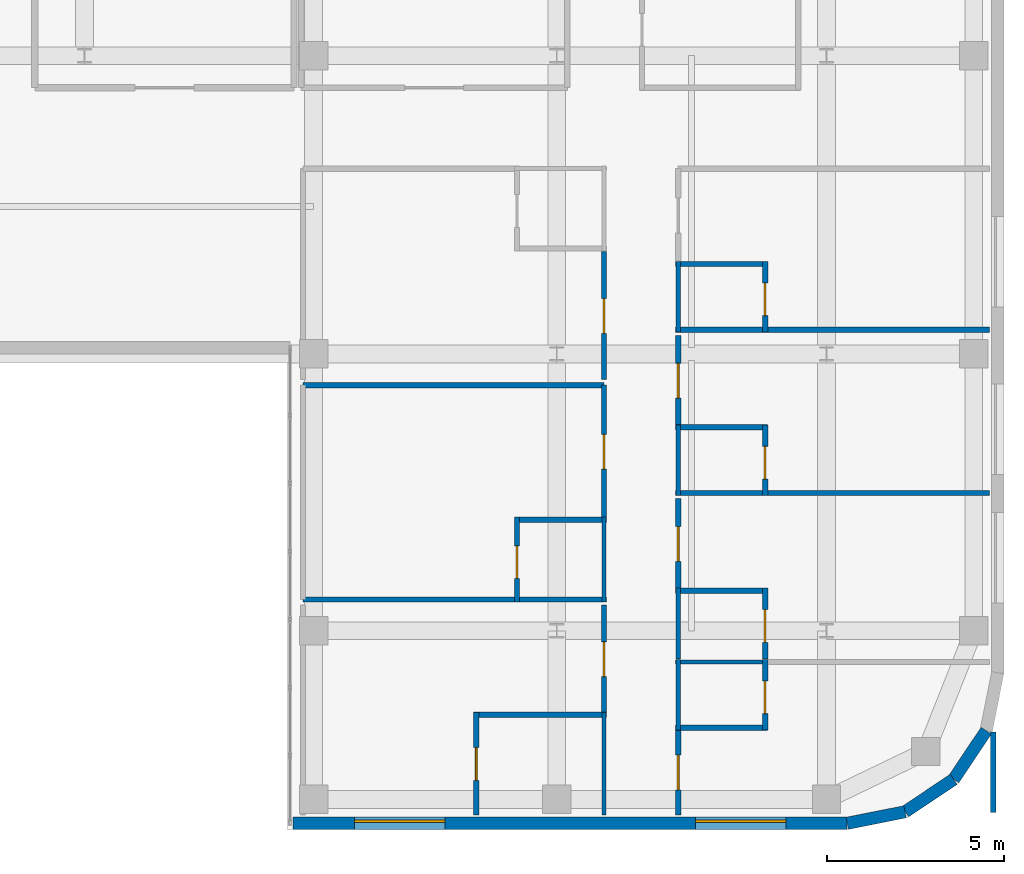
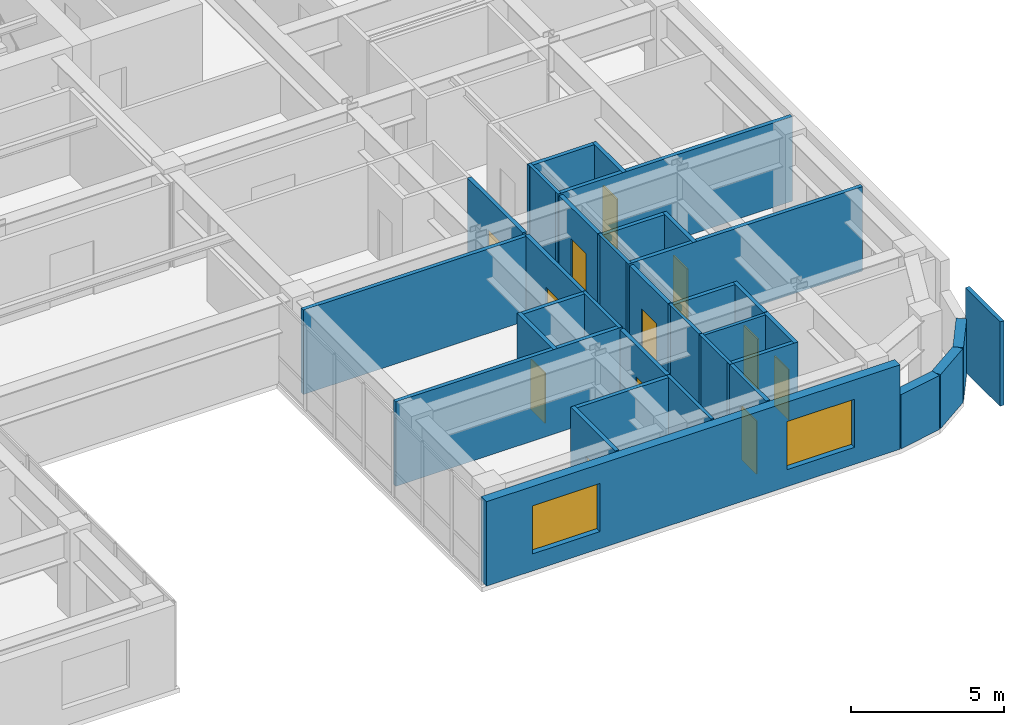
# One storey, part 9 of 14: 34 walls, 12 doors, 2 windows, 14 openings.
"""IFC4 building model written with IfcOpenShell, lengths in metres."""

from ifc_helpers import new_model, si_unit, direction, frame, frame_2d, origin, place, context, subcontext, project, spatial, rectangle, extrude, source, transform, mapped, material, layer, layer_set, type_object, type_shapes, element, fill, save


model = new_model("IFC4")

# Units and contexts
model_context = context("Model", 3, precision=1e-05, world=origin(), true_north=direction((0.0, 1.0)))
body_context = subcontext(model_context, "Body", "Model", "MODEL_VIEW")
ifc_project = project(units=[si_unit("LENGTHUNIT", "METRE"), si_unit("AREAUNIT", "SQUARE_METRE"), si_unit("VOLUMEUNIT", "CUBIC_METRE"), si_unit("PLANEANGLEUNIT", "RADIAN"), si_unit("MASSUNIT", "GRAM", prefix="KILO")], contexts=[model_context])

# Site, building, storey
site_placement = place(None, origin())
site = spatial("IfcSite", under=ifc_project, at=site_placement, CompositionType="ELEMENT")
building_placement = place(site_placement, origin())
building = spatial("IfcBuilding", under=site, at=building_placement, Name="Tolvann Quenvar Hotel", CompositionType="ELEMENT")
storey_placement = place(building_placement, frame((0.0, 0.0, 150.60009765625)))
storey = spatial("IfcBuildingStorey", under=building, at=storey_placement, Name="L39", CompositionType="ELEMENT", Elevation=150.60009765625)

# Wall, openings, windows
ifc_material_1 = material(Name="Kiln-fired red and buff architectural clay brickwork and terracotta masonry", Category="masonry")
ifc_layer_1 = layer(ifc_material_1, 0.35009765625)
ifc_layer_set_1 = layer_set([ifc_layer_1], Name="Kiln-fired red and buff architectural clay brickwork and terracotta masonry")
wall_type_1 = type_object("IfcWallType", Name="WALL_EXT_BRICK_350", PredefinedType="SOLIDWALL", material=ifc_layer_set_1)
wall_1_placement = place(storey_placement, frame((34.375, 2.77490234375, 0.0), z_axis=(0.0, 0.0, 1.0), x_axis=(1.0, 0.0, 0.0)))
wall_1 = element("IfcWall", 1, at=wall_1_placement, inside=storey, type_object=wall_type_1, Name="Exterior Chicago Brick Wall L39-E08", PredefinedType="SOLIDWALL", context=body_context, shape_type="SweptSolid", body=[
    extrude(rectangle(XDim=15.60791015625, YDim=0.35009765625, at=frame_2d((7.803955078125, 0.0))), origin(), (0.0, 0.0, 1.0), 3.369873046875),
])
opening_1_placement = place(wall_1_placement, frame((1.72607421875, 0.0, 0.679931640625)))
opening_1 = element("IfcOpeningElement", 2, at=opening_1_placement, cuts=wall_1, Name="Opening W-09", PredefinedType="OPENING", context=body_context, shape_type="SweptSolid", body=[
    extrude(rectangle(XDim=2.550048828125, YDim=1.919921875, at=frame_2d((1.27490234375, 0.9599609375))), frame((0.0, 0.18505859375, 0.0), z_axis=(0.0, -1.0, 0.0), x_axis=(1.0, 0.0, 0.0)), (0.0, 0.0, 1.0), 0.3701171875),
])
opening_2_placement = place(wall_1_placement, frame((11.3310546875, 0.0, 0.679931640625)))
opening_2 = element("IfcOpeningElement", 3, at=opening_2_placement, cuts=wall_1, Name="Opening W-09", PredefinedType="OPENING", context=body_context, shape_type="SweptSolid", body=[
    extrude(rectangle(XDim=2.550048828125, YDim=1.919921875, at=frame_2d((1.27490234375, 0.9599609375))), frame((0.0, 0.18505859375, 0.0), z_axis=(0.0, -1.0, 0.0), x_axis=(1.0, 0.0, 0.0)), (0.0, 0.0, 1.0), 0.3701171875),
])
ifc_material_2 = material(Name="Thermally broken bronze-anodised aluminium frame with double low-E glazing", Category="aluminium")
window_type = type_object("IfcWindowType", Name="WIN_LNG_2550x1950", PartitioningType="TRIPLE_PANEL_HORIZONTAL", PredefinedType="WINDOW", material=ifc_material_2)
shared_shape_1 = source(origin(), body_context, "Body", "SweptSolid", [
    extrude(rectangle(XDim=2.550048828125, YDim=1.919921875, at=frame_2d((1.27490234375, 0.9599609375))), frame((0.0, 0.090087890625, 0.0), z_axis=(0.0, -1.0, 0.0), x_axis=(1.0, 0.0, 0.0)), (0.0, 0.0, 1.0), 0.06005859375),
])
type_shapes(window_type, [shared_shape_1])
window_1_placement = place(opening_1_placement, origin())
window_1 = element("IfcWindow", 4, at=window_1_placement, inside=storey, type_object=window_type, Name="Chicago Window W-09 (EW-L39-E08-W01)", OverallHeight=1.919921875, OverallWidth=2.550048828125, PartitioningType="TRIPLE_PANEL_HORIZONTAL", PredefinedType="WINDOW", context=body_context, shape_type="MappedRepresentation", body=[
    mapped(shared_shape_1, transform((0.0, 0.0, 0.0), x_axis=(1.0, 0.0, 0.0), y_axis=(0.0, 1.0, 0.0), z_axis=(0.0, 0.0, 1.0), scale=1.0)),
])
fill(opening_1, window_1)
window_2_placement = place(opening_2_placement, origin())
window_2 = element("IfcWindow", 5, at=window_2_placement, inside=storey, type_object=window_type, Name="Chicago Window W-09 (EW-L39-E08-W02)", OverallHeight=1.919921875, OverallWidth=2.550048828125, PartitioningType="TRIPLE_PANEL_HORIZONTAL", PredefinedType="WINDOW", context=body_context, shape_type="MappedRepresentation", body=[
    mapped(shared_shape_1, transform((0.0, 0.0, 0.0), x_axis=(1.0, 0.0, 0.0), y_axis=(0.0, 1.0, 0.0), z_axis=(0.0, 0.0, 1.0), scale=1.0)),
])
fill(opening_2, window_2)

# Walls
wall_2_placement = place(storey_placement, frame((49.98291015625, 2.77490234375, 0.0), z_axis=(0.0, 0.0, 1.0), x_axis=(0.980788844421, 0.195072403631, 0.0)))
element("IfcWall", 6, at=wall_2_placement, inside=storey, type_object=wall_type_1, Name="Exterior Chicago Brick Wall L39-E09", PredefinedType="SOLIDWALL", context=body_context, shape_type="SweptSolid", body=[
    extrude(rectangle(XDim=1.66455078125, YDim=0.35009765625, at=frame_2d((0.832275390625, 0.0))), origin(), (0.0, 0.0, 1.0), 2.159912109375),
])
for number, where, z_axis, x_axis, name in (
    (7, (51.615478515625, 3.099609375, 0.0), (0.0, 0.0, 1.0), (0.831434158098, 0.555623290322, 0.0), "Exterior Chicago Brick Wall L39-E10"),
    (8, (52.985107421875, 4.014892578125, 0.0), (0.0, 0.0, 1.0), (0.555623290322, 0.831434158098, 0.0), "Exterior Chicago Brick Wall L39-E11"),
):
    element("IfcWall", number, at=place(storey_placement, frame(where, z_axis=z_axis, x_axis=x_axis)), inside=storey, type_object=wall_type_1, Name=name, PredefinedType="SOLIDWALL", context=body_context, shape_type="SweptSolid", body=[
        extrude(rectangle(XDim=1.647216796875, YDim=0.35009765625, at=frame_2d((0.82373046875, 0.0))), origin(), (0.0, 0.0, 1.0), 2.159912109375),
    ])
ifc_material_3 = material(Name="Moisture-resistant acoustic plumbing wall assembly")
ifc_layer_2 = layer(ifc_material_3, 0.1201171875)
ifc_layer_set_2 = layer_set([ifc_layer_2], Name="Moisture-resistant acoustic plumbing wall assembly")
wall_type_2 = type_object("IfcWallType", Name="WALL_PART_BATH_120", PredefinedType="PLUMBINGWALL", material=ifc_layer_set_2)
wall_3_placement = place(storey_placement, frame((43.1298828125, 3.0048828125, 0.0), z_axis=(0.0, 0.0, 1.0), x_axis=(0.0, 1.0, 0.0)))
element("IfcWall", 9, at=wall_3_placement, inside=storey, type_object=wall_type_2, Name="Non-Rated Plumbing Partition PT-SPC-L39-ENS-EI01-E", PredefinedType="PLUMBINGWALL", context=body_context, shape_type="SweptSolid", body=[
    extrude(rectangle(XDim=2.89501953125, YDim=0.1201171875, at=frame_2d((1.447509765625, 0.0))), origin(), (0.0, 0.0, 1.0), 3.369873046875),
])
wall_4_placement = place(storey_placement, frame((43.1298828125, 9.010009765625, 0.0), z_axis=(0.0, 0.0, 1.0), x_axis=(0.0, 1.0, 0.0)))
element("IfcWall", 10, at=wall_4_placement, inside=storey, type_object=wall_type_2, Name="Non-Rated Plumbing Partition PT-SPC-L39-ENS-EI02-E", PredefinedType="PLUMBINGWALL", context=body_context, shape_type="SweptSolid", body=[
    extrude(rectangle(XDim=2.389892578125, YDim=0.1201171875, at=frame_2d((1.19482421875, 0.0))), origin(), (0.0, 0.0, 1.0), 3.369873046875),
])
wall_5_placement = place(storey_placement, frame((45.14990234375, 7.320068359375, 0.0), z_axis=(0.0, 0.0, 1.0), x_axis=(1.0, 0.0, 0.0)))
element("IfcWall", 11, at=wall_5_placement, inside=storey, type_object=wall_type_2, Name="Non-Rated Plumbing Partition PT-SPC-L39-ENS-EO01-N", PredefinedType="PLUMBINGWALL", context=body_context, shape_type="SweptSolid", body=[
    extrude(rectangle(XDim=2.590087890625, YDim=0.1201171875, at=frame_2d((1.294921875, 0.0))), origin(), (0.0, 0.0, 1.0), 3.369873046875),
])
for number, where, z_axis, x_axis, name in (
    (12, (45.219970703125, 5.39990234375, 0.0), (0.0, 0.0, 1.0), (0.0, 1.0, 0.0), "Non-Rated Plumbing Partition PT-SPC-L39-ENS-EO01-W"),
    (13, (45.219970703125, 7.409912109375, 0.0), (0.0, 0.0, 1.0), (0.0, 1.0, 0.0), "Non-Rated Plumbing Partition PT-SPC-L39-ENS-EO02-W"),
    (14, (45.219970703125, 12.010009765625, 0.0), (0.0, 0.0, 1.0), (0.0, 1.0, 0.0), "Non-Rated Plumbing Partition PT-SPC-L39-ENS-EO03-W"),
    (15, (45.219970703125, 16.610107421875, 0.0), (0.0, 0.0, 1.0), (0.0, 1.0, 0.0), "Non-Rated Plumbing Partition PT-SPC-L39-ENS-EO04-W"),
):
    element("IfcWall", number, at=place(storey_placement, frame(where, z_axis=z_axis, x_axis=x_axis)), inside=storey, type_object=wall_type_2, Name=name, PredefinedType="PLUMBINGWALL", context=body_context, shape_type="SweptSolid", body=[
        extrude(rectangle(XDim=1.989990234375, YDim=0.1201171875, at=frame_2d((0.9951171875, 0.0))), origin(), (0.0, 0.0, 1.0), 3.369873046875),
    ])

# Wall, opening, door
ifc_material_4 = material(Name="Acoustic twin-stud fire-rated gypsum plasterboard partition")
ifc_layer_3 = layer(ifc_material_4, 0.14990234375)
ifc_layer_set_3 = layer_set([ifc_layer_3], Name="Acoustic twin-stud fire-rated gypsum plasterboard partition")
wall_type_3 = type_object("IfcWallType", Name="WALL_PART_SUITE_150", PredefinedType="PARTITIONING", material=ifc_layer_set_3)
wall_6_placement = place(storey_placement, frame((39.530029296875, 3.0048828125, 0.0), z_axis=(0.0, 0.0, 1.0), x_axis=(0.0, 1.0, 0.0)))
wall_6 = element("IfcWall", 16, at=wall_6_placement, inside=storey, type_object=wall_type_3, Name="Interior Partition PT-SPC-L39-ENS-EI01-ENT", PredefinedType="PARTITIONING", context=body_context, shape_type="SweptSolid", body=[
    extrude(rectangle(XDim=2.89501953125, YDim=0.14990234375, at=frame_2d((1.447509765625, 0.0))), origin(), (0.0, 0.0, 1.0), 3.369873046875),
])
opening_3_placement = place(wall_6_placement, frame((0.97998046875, 0.0, 0.0)))
opening_3 = element("IfcOpeningElement", 17, at=opening_3_placement, cuts=wall_6, Name="Opening WD-01", PredefinedType="OPENING", context=body_context, shape_type="SweptSolid", body=[
    extrude(rectangle(XDim=0.919921875, YDim=2.010009765625, at=frame_2d((0.4599609375, 1.0048828125))), frame((0.0, 0.0849609375, 0.0), z_axis=(0.0, -1.0, 0.0), x_axis=(1.0, 0.0, 0.0)), (0.0, 0.0, 1.0), 0.169921875),
])
ifc_material_5 = material(Name="Solid-core American oak acoustic fire door leaf in steel frame", Category="steel")
door_type_1 = type_object("IfcDoorType", Name="DOOR_WC_920", OperationType="NOTDEFINED", PredefinedType="DOOR", material=ifc_material_5)
shared_shape_2 = source(origin(), body_context, "Body", "SweptSolid", [
    extrude(rectangle(XDim=0.919921875, YDim=2.010009765625, at=frame_2d((0.4599609375, 1.0048828125))), frame((0.0, 0.02490234375, 0.0), z_axis=(0.0, -1.0, 0.0), x_axis=(1.0, 0.0, 0.0)), (0.0, 0.0, 1.0), 0.050048828125),
])
type_shapes(door_type_1, [shared_shape_2])
door_1_placement = place(opening_3_placement, origin())
door_1 = element("IfcDoor", 18, at=door_1_placement, inside=storey, type_object=door_type_1, Name="Interior Door DOOR-SPC-L39-ENS-EI01", OperationType="SINGLE_SWING_RIGHT", OverallHeight=2.010009765625, OverallWidth=0.919921875, PredefinedType="DOOR", context=body_context, shape_type="MappedRepresentation", body=[
    mapped(shared_shape_2, transform((0.0, 0.0, 0.0), x_axis=(1.0, 0.0, 0.0), y_axis=(0.0, 1.0, 0.0), z_axis=(0.0, 0.0, 1.0), scale=1.0)),
])
fill(opening_3, door_1)

# Wall
wall_7_placement = place(storey_placement, frame((39.4599609375, 5.830078125, 0.0), z_axis=(0.0, 0.0, 1.0), x_axis=(1.0, 0.0, 0.0)))
element("IfcWall", 19, at=wall_7_placement, inside=storey, type_object=wall_type_3, Name="Interior Partition PT-SPC-L39-ENS-EI01-N", PredefinedType="PARTITIONING", context=body_context, shape_type="SweptSolid", body=[
    extrude(rectangle(XDim=3.739990234375, YDim=0.14990234375, at=frame_2d((1.8701171875, 0.0))), origin(), (0.0, 0.0, 1.0), 3.369873046875),
])

# Wall, opening, door
wall_8_placement = place(storey_placement, frame((40.679931640625, 9.010009765625, 0.0), z_axis=(0.0, 0.0, 1.0), x_axis=(0.0, 1.0, 0.0)))
wall_8 = element("IfcWall", 20, at=wall_8_placement, inside=storey, type_object=wall_type_3, Name="Interior Partition PT-SPC-L39-ENS-EI02-ENT", PredefinedType="PARTITIONING", context=body_context, shape_type="SweptSolid", body=[
    extrude(rectangle(XDim=2.389892578125, YDim=0.14990234375, at=frame_2d((1.19482421875, 0.0))), origin(), (0.0, 0.0, 1.0), 3.369873046875),
])
opening_4_placement = place(wall_8_placement, frame((0.6650390625, 0.0, 0.0)))
opening_4 = element("IfcOpeningElement", 21, at=opening_4_placement, cuts=wall_8, Name="Opening WD-01", PredefinedType="OPENING", context=body_context, shape_type="SweptSolid", body=[
    extrude(rectangle(XDim=0.919921875, YDim=2.010009765625, at=frame_2d((0.4599609375, 1.0048828125))), frame((0.0, 0.0849609375, 0.0), z_axis=(0.0, -1.0, 0.0), x_axis=(1.0, 0.0, 0.0)), (0.0, 0.0, 1.0), 0.169921875),
])
door_2_placement = place(opening_4_placement, origin())
door_2 = element("IfcDoor", 22, at=door_2_placement, inside=storey, type_object=door_type_1, Name="Interior Door DOOR-SPC-L39-ENS-EI02", OperationType="SINGLE_SWING_LEFT", OverallHeight=2.010009765625, OverallWidth=0.919921875, PredefinedType="DOOR", context=body_context, shape_type="MappedRepresentation", body=[
    mapped(shared_shape_2, transform((0.0, 0.0, 0.0), x_axis=(1.0, 0.0, 0.0), y_axis=(0.0, 1.0, 0.0), z_axis=(0.0, 0.0, 1.0), scale=1.0)),
])
fill(opening_4, door_2)

# Walls
wall_9_placement = place(storey_placement, frame((34.64990234375, 9.080078125, 0.0), z_axis=(0.0, 0.0, 1.0), x_axis=(1.0, 0.0, 0.0)))
element("IfcWall", 23, at=wall_9_placement, inside=storey, type_object=wall_type_3, Name="Interior Partition PT-SPC-L39-ENS-EI02-S", PredefinedType="PARTITIONING", context=body_context, shape_type="SweptSolid", body=[
    extrude(rectangle(XDim=8.550048828125, YDim=0.14990234375, at=frame_2d((4.27490234375, 0.0))), origin(), (0.0, 0.0, 1.0), 3.369873046875),
])
wall_10_placement = place(storey_placement, frame((40.610107421875, 11.330078125, 0.0), z_axis=(0.0, 0.0, 1.0), x_axis=(1.0, 0.0, 0.0)))
element("IfcWall", 24, at=wall_10_placement, inside=storey, type_object=wall_type_3, Name="Interior Partition PT-SPC-L39-ENS-EI02-N", PredefinedType="PARTITIONING", context=body_context, shape_type="SweptSolid", body=[
    extrude(rectangle(XDim=2.58984375, YDim=0.14990234375, at=frame_2d((1.294921875, 0.0))), origin(), (0.0, 0.0, 1.0), 3.369873046875),
])

# Wall, opening, door
wall_11_placement = place(storey_placement, frame((47.669921875, 5.39990234375, 0.0), z_axis=(0.0, 0.0, 1.0), x_axis=(0.0, 1.0, 0.0)))
wall_11 = element("IfcWall", 25, at=wall_11_placement, inside=storey, type_object=wall_type_3, Name="Interior Partition PT-SPC-L39-ENS-EO01-ENT", PredefinedType="PARTITIONING", context=body_context, shape_type="SweptSolid", body=[
    extrude(rectangle(XDim=1.989990234375, YDim=0.14990234375, at=frame_2d((0.9951171875, 0.0))), origin(), (0.0, 0.0, 1.0), 3.369873046875),
])
opening_5_placement = place(wall_11_placement, frame((0.465087890625, 0.0, 0.0)))
opening_5 = element("IfcOpeningElement", 26, at=opening_5_placement, cuts=wall_11, Name="Opening WD-01", PredefinedType="OPENING", context=body_context, shape_type="SweptSolid", body=[
    extrude(rectangle(XDim=0.919921875, YDim=2.010009765625, at=frame_2d((0.4599609375, 1.0048828125))), frame((0.0, 0.0849609375, 0.0), z_axis=(0.0, -1.0, 0.0), x_axis=(1.0, 0.0, 0.0)), (0.0, 0.0, 1.0), 0.169921875),
])
door_3_placement = place(opening_5_placement, origin())
door_3 = element("IfcDoor", 27, at=door_3_placement, inside=storey, type_object=door_type_1, Name="Interior Door DOOR-SPC-L39-ENS-EO01", OperationType="SINGLE_SWING_LEFT", OverallHeight=2.010009765625, OverallWidth=0.919921875, PredefinedType="DOOR", context=body_context, shape_type="MappedRepresentation", body=[
    mapped(shared_shape_2, transform((0.0, 0.0, 0.0), x_axis=(1.0, 0.0, 0.0), y_axis=(0.0, 1.0, 0.0), z_axis=(0.0, 0.0, 1.0), scale=1.0)),
])
fill(opening_5, door_3)

# Wall
wall_12_placement = place(storey_placement, frame((45.14990234375, 5.469970703125, 0.0), z_axis=(0.0, 0.0, 1.0), x_axis=(1.0, 0.0, 0.0)))
element("IfcWall", 28, at=wall_12_placement, inside=storey, type_object=wall_type_3, Name="Interior Partition PT-SPC-L39-ENS-EO01-S", PredefinedType="PARTITIONING", context=body_context, shape_type="SweptSolid", body=[
    extrude(rectangle(XDim=2.590087890625, YDim=0.14990234375, at=frame_2d((1.294921875, 0.0))), origin(), (0.0, 0.0, 1.0), 3.369873046875),
])

# Wall, opening, door
wall_13_placement = place(storey_placement, frame((47.669921875, 7.409912109375, 0.0), z_axis=(0.0, 0.0, 1.0), x_axis=(0.0, 1.0, 0.0)))
wall_13 = element("IfcWall", 29, at=wall_13_placement, inside=storey, type_object=wall_type_3, Name="Interior Partition PT-SPC-L39-ENS-EO02-ENT", PredefinedType="PARTITIONING", context=body_context, shape_type="SweptSolid", body=[
    extrude(rectangle(XDim=1.989990234375, YDim=0.14990234375, at=frame_2d((0.9951171875, 0.0))), origin(), (0.0, 0.0, 1.0), 3.369873046875),
])
opening_6_placement = place(wall_13_placement, frame((0.465087890625, 0.0, 0.0)))
opening_6 = element("IfcOpeningElement", 30, at=opening_6_placement, cuts=wall_13, Name="Opening WD-01", PredefinedType="OPENING", context=body_context, shape_type="SweptSolid", body=[
    extrude(rectangle(XDim=0.919921875, YDim=2.010009765625, at=frame_2d((0.4599609375, 1.0048828125))), frame((0.0, 0.0849609375, 0.0), z_axis=(0.0, -1.0, 0.0), x_axis=(1.0, 0.0, 0.0)), (0.0, 0.0, 1.0), 0.169921875),
])
door_4_placement = place(opening_6_placement, origin())
door_4 = element("IfcDoor", 31, at=door_4_placement, inside=storey, type_object=door_type_1, Name="Interior Door DOOR-SPC-L39-ENS-EO02", OperationType="SINGLE_SWING_RIGHT", OverallHeight=2.010009765625, OverallWidth=0.919921875, PredefinedType="DOOR", context=body_context, shape_type="MappedRepresentation", body=[
    mapped(shared_shape_2, transform((0.0, 0.0, 0.0), x_axis=(1.0, 0.0, 0.0), y_axis=(0.0, 1.0, 0.0), z_axis=(0.0, 0.0, 1.0), scale=1.0)),
])
fill(opening_6, door_4)

# Wall
wall_14_placement = place(storey_placement, frame((45.14990234375, 9.330078125, 0.0), z_axis=(0.0, 0.0, 1.0), x_axis=(1.0, 0.0, 0.0)))
element("IfcWall", 32, at=wall_14_placement, inside=storey, type_object=wall_type_3, Name="Interior Partition PT-SPC-L39-ENS-EO02-N", PredefinedType="PARTITIONING", context=body_context, shape_type="SweptSolid", body=[
    extrude(rectangle(XDim=2.590087890625, YDim=0.14990234375, at=frame_2d((1.294921875, 0.0))), origin(), (0.0, 0.0, 1.0), 3.369873046875),
])

# Wall, opening, door
wall_15_placement = place(storey_placement, frame((47.669921875, 12.010009765625, 0.0), z_axis=(0.0, 0.0, 1.0), x_axis=(0.0, 1.0, 0.0)))
wall_15 = element("IfcWall", 33, at=wall_15_placement, inside=storey, type_object=wall_type_3, Name="Interior Partition PT-SPC-L39-ENS-EO03-ENT", PredefinedType="PARTITIONING", context=body_context, shape_type="SweptSolid", body=[
    extrude(rectangle(XDim=1.989990234375, YDim=0.14990234375, at=frame_2d((0.9951171875, 0.0))), origin(), (0.0, 0.0, 1.0), 3.369873046875),
])
opening_7_placement = place(wall_15_placement, frame((0.465087890625, 0.0, 0.0)))
opening_7 = element("IfcOpeningElement", 34, at=opening_7_placement, cuts=wall_15, Name="Opening WD-01", PredefinedType="OPENING", context=body_context, shape_type="SweptSolid", body=[
    extrude(rectangle(XDim=0.919921875, YDim=2.010009765625, at=frame_2d((0.4599609375, 1.0048828125))), frame((0.0, 0.0849609375, 0.0), z_axis=(0.0, -1.0, 0.0), x_axis=(1.0, 0.0, 0.0)), (0.0, 0.0, 1.0), 0.169921875),
])
door_5_placement = place(opening_7_placement, origin())
door_5 = element("IfcDoor", 35, at=door_5_placement, inside=storey, type_object=door_type_1, Name="Interior Door DOOR-SPC-L39-ENS-EO03", OperationType="SINGLE_SWING_LEFT", OverallHeight=2.010009765625, OverallWidth=0.919921875, PredefinedType="DOOR", context=body_context, shape_type="MappedRepresentation", body=[
    mapped(shared_shape_2, transform((0.0, 0.0, 0.0), x_axis=(1.0, 0.0, 0.0), y_axis=(0.0, 1.0, 0.0), z_axis=(0.0, 0.0, 1.0), scale=1.0)),
])
fill(opening_7, door_5)

# Walls
wall_16_placement = place(storey_placement, frame((45.14990234375, 12.080078125, 0.0), z_axis=(0.0, 0.0, 1.0), x_axis=(1.0, 0.0, 0.0)))
element("IfcWall", 36, at=wall_16_placement, inside=storey, type_object=wall_type_3, Name="Interior Partition PT-SPC-L39-ENS-EO03-S", PredefinedType="PARTITIONING", context=body_context, shape_type="SweptSolid", body=[
    extrude(rectangle(XDim=8.84521484375, YDim=0.14990234375, at=frame_2d((4.422607421875, 0.0))), origin(), (0.0, 0.0, 1.0), 3.369873046875),
])
wall_17_placement = place(storey_placement, frame((45.14990234375, 13.929931640625, 0.0), z_axis=(0.0, 0.0, 1.0), x_axis=(1.0, 0.0, 0.0)))
element("IfcWall", 37, at=wall_17_placement, inside=storey, type_object=wall_type_3, Name="Interior Partition PT-SPC-L39-ENS-EO03-N", PredefinedType="PARTITIONING", context=body_context, shape_type="SweptSolid", body=[
    extrude(rectangle(XDim=2.590087890625, YDim=0.14990234375, at=frame_2d((1.294921875, 0.0))), origin(), (0.0, 0.0, 1.0), 3.369873046875),
])

# Wall, opening, door
wall_18_placement = place(storey_placement, frame((47.669921875, 16.610107421875, 0.0), z_axis=(0.0, 0.0, 1.0), x_axis=(0.0, 1.0, 0.0)))
wall_18 = element("IfcWall", 38, at=wall_18_placement, inside=storey, type_object=wall_type_3, Name="Interior Partition PT-SPC-L39-ENS-EO04-ENT", PredefinedType="PARTITIONING", context=body_context, shape_type="SweptSolid", body=[
    extrude(rectangle(XDim=1.989990234375, YDim=0.14990234375, at=frame_2d((0.9951171875, 0.0))), origin(), (0.0, 0.0, 1.0), 3.369873046875),
])
opening_8_placement = place(wall_18_placement, frame((0.465087890625, 0.0, 0.0)))
opening_8 = element("IfcOpeningElement", 39, at=opening_8_placement, cuts=wall_18, Name="Opening WD-01", PredefinedType="OPENING", context=body_context, shape_type="SweptSolid", body=[
    extrude(rectangle(XDim=0.919921875, YDim=2.010009765625, at=frame_2d((0.4599609375, 1.0048828125))), frame((0.0, 0.0849609375, 0.0), z_axis=(0.0, -1.0, 0.0), x_axis=(1.0, 0.0, 0.0)), (0.0, 0.0, 1.0), 0.169921875),
])
door_6_placement = place(opening_8_placement, origin())
door_6 = element("IfcDoor", 40, at=door_6_placement, inside=storey, type_object=door_type_1, Name="Interior Door DOOR-SPC-L39-ENS-EO04", OperationType="SINGLE_SWING_RIGHT", OverallHeight=2.010009765625, OverallWidth=0.919921875, PredefinedType="DOOR", context=body_context, shape_type="MappedRepresentation", body=[
    mapped(shared_shape_2, transform((0.0, 0.0, 0.0), x_axis=(1.0, 0.0, 0.0), y_axis=(0.0, 1.0, 0.0), z_axis=(0.0, 0.0, 1.0), scale=1.0)),
])
fill(opening_8, door_6)

# Walls
wall_19_placement = place(storey_placement, frame((45.14990234375, 16.679931640625, 0.0), z_axis=(0.0, 0.0, 1.0), x_axis=(1.0, 0.0, 0.0)))
element("IfcWall", 41, at=wall_19_placement, inside=storey, type_object=wall_type_3, Name="Interior Partition PT-SPC-L39-ENS-EO04-S", PredefinedType="PARTITIONING", context=body_context, shape_type="SweptSolid", body=[
    extrude(rectangle(XDim=8.84521484375, YDim=0.14990234375, at=frame_2d((4.422607421875, 0.0))), origin(), (0.0, 0.0, 1.0), 3.369873046875),
])
wall_20_placement = place(storey_placement, frame((45.14990234375, 18.530029296875, 0.0), z_axis=(0.0, 0.0, 1.0), x_axis=(1.0, 0.0, 0.0)))
element("IfcWall", 42, at=wall_20_placement, inside=storey, type_object=wall_type_3, Name="Interior Partition PT-SPC-L39-ENS-EO04-N", PredefinedType="PARTITIONING", context=body_context, shape_type="SweptSolid", body=[
    extrude(rectangle(XDim=2.590087890625, YDim=0.14990234375, at=frame_2d((1.294921875, 0.0))), origin(), (0.0, 0.0, 1.0), 3.369873046875),
])

# Wall, opening, door
wall_21_placement = place(storey_placement, frame((43.1298828125, 5.909912109375, 0.0), z_axis=(0.0, 0.0, 1.0), x_axis=(0.0, 1.0, 0.0)))
wall_21 = element("IfcWall", 43, at=wall_21_placement, inside=storey, type_object=wall_type_3, Name="Interior Partition PT-SPC-L39-RM-EI01-ENT", PredefinedType="PARTITIONING", context=body_context, shape_type="SweptSolid", body=[
    extrude(rectangle(XDim=3.010009765625, YDim=0.14990234375, at=frame_2d((1.5048828125, 0.0))), origin(), (0.0, 0.0, 1.0), 3.369873046875),
])
opening_9_placement = place(wall_21_placement, frame((0.9951171875, 0.0, 0.0)))
opening_9 = element("IfcOpeningElement", 44, at=opening_9_placement, cuts=wall_21, Name="Opening SD-01", PredefinedType="OPENING", context=body_context, shape_type="SweptSolid", body=[
    extrude(rectangle(XDim=0.97998046875, YDim=2.1201171875, at=frame_2d((0.489990234375, 1.06005859375))), frame((0.0, 0.0849609375, 0.0), z_axis=(0.0, -1.0, 0.0), x_axis=(1.0, 0.0, 0.0)), (0.0, 0.0, 1.0), 0.169921875),
])
door_type_2 = type_object("IfcDoorType", Name="DOOR_SUITE_980", OperationType="NOTDEFINED", PredefinedType="DOOR", material=ifc_material_5)
shared_shape_3 = source(origin(), body_context, "Body", "SweptSolid", [
    extrude(rectangle(XDim=0.97998046875, YDim=2.1201171875, at=frame_2d((0.489990234375, 1.06005859375))), frame((0.0, 0.02490234375, 0.0), z_axis=(0.0, -1.0, 0.0), x_axis=(1.0, 0.0, 0.0)), (0.0, 0.0, 1.0), 0.050048828125),
])
type_shapes(door_type_2, [shared_shape_3])
door_7_placement = place(opening_9_placement, origin())
door_7 = element("IfcDoor", 45, at=door_7_placement, inside=storey, type_object=door_type_2, Name="Interior Door DOOR-SPC-L39-RM-EI01", OperationType="SINGLE_SWING_RIGHT", OverallHeight=2.1201171875, OverallWidth=0.97998046875, PredefinedType="DOOR", context=body_context, shape_type="MappedRepresentation", body=[
    mapped(shared_shape_3, transform((0.0, 0.0, 0.0), x_axis=(1.0, 0.0, 0.0), y_axis=(0.0, 1.0, 0.0), z_axis=(0.0, 0.0, 1.0), scale=1.0)),
])
fill(opening_9, door_7)

wall_22_placement = place(storey_placement, frame((43.1298828125, 11.409912109375, 0.0), z_axis=(0.0, 0.0, 1.0), x_axis=(0.0, 1.0, 0.0)))
wall_22 = element("IfcWall", 46, at=wall_22_placement, inside=storey, type_object=wall_type_3, Name="Interior Partition PT-SPC-L39-RM-EI02-ENT", PredefinedType="PARTITIONING", context=body_context, shape_type="SweptSolid", body=[
    extrude(rectangle(XDim=3.710205078125, YDim=0.14990234375, at=frame_2d((1.85498046875, 0.0))), origin(), (0.0, 0.0, 1.0), 3.369873046875),
])
opening_10_placement = place(wall_22_placement, frame((1.344970703125, 0.0, 0.0)))
opening_10 = element("IfcOpeningElement", 47, at=opening_10_placement, cuts=wall_22, Name="Opening SD-01", PredefinedType="OPENING", context=body_context, shape_type="SweptSolid", body=[
    extrude(rectangle(XDim=0.97998046875, YDim=2.1201171875, at=frame_2d((0.489990234375, 1.06005859375))), frame((0.0, 0.0849609375, 0.0), z_axis=(0.0, -1.0, 0.0), x_axis=(1.0, 0.0, 0.0)), (0.0, 0.0, 1.0), 0.169921875),
])
door_8_placement = place(opening_10_placement, origin())
door_8 = element("IfcDoor", 48, at=door_8_placement, inside=storey, type_object=door_type_2, Name="Interior Door DOOR-SPC-L39-RM-EI02", OperationType="SINGLE_SWING_LEFT", OverallHeight=2.1201171875, OverallWidth=0.97998046875, PredefinedType="DOOR", context=body_context, shape_type="MappedRepresentation", body=[
    mapped(shared_shape_3, transform((0.0, 0.0, 0.0), x_axis=(1.0, 0.0, 0.0), y_axis=(0.0, 1.0, 0.0), z_axis=(0.0, 0.0, 1.0), scale=1.0)),
])
fill(opening_10, door_8)

# Wall
wall_23_placement = place(storey_placement, frame((34.64990234375, 15.1201171875, 0.0), z_axis=(0.0, 0.0, 1.0), x_axis=(1.0, 0.0, 0.0)))
element("IfcWall", 49, at=wall_23_placement, inside=storey, type_object=wall_type_3, Name="Interior Partition PT-SPC-L39-RM-EI02-E5", PredefinedType="PARTITIONING", context=body_context, shape_type="SweptSolid", body=[
    extrude(rectangle(XDim=8.47998046875, YDim=0.14990234375, at=frame_2d((4.239990234375, 0.0))), origin(), (0.0, 0.0, 1.0), 3.369873046875),
])

# Wall, opening, door
wall_24_placement = place(storey_placement, frame((43.1298828125, 15.280029296875, 0.0), z_axis=(0.0, 0.0, 1.0), x_axis=(0.0, 1.0, 0.0)))
wall_24 = element("IfcWall", 50, at=wall_24_placement, inside=storey, type_object=wall_type_3, Name="Interior Partition PT-SPC-L39-RM-EI03-ENT", PredefinedType="PARTITIONING", context=body_context, shape_type="SweptSolid", body=[
    extrude(rectangle(XDim=3.60986328125, YDim=0.14990234375, at=frame_2d((1.804931640625, 0.0))), origin(), (0.0, 0.0, 1.0), 3.369873046875),
])
opening_11_placement = place(wall_24_placement, frame((1.294921875, 0.0, 0.0)))
opening_11 = element("IfcOpeningElement", 51, at=opening_11_placement, cuts=wall_24, Name="Opening SD-01", PredefinedType="OPENING", context=body_context, shape_type="SweptSolid", body=[
    extrude(rectangle(XDim=0.97998046875, YDim=2.1201171875, at=frame_2d((0.489990234375, 1.06005859375))), frame((0.0, 0.0849609375, 0.0), z_axis=(0.0, -1.0, 0.0), x_axis=(1.0, 0.0, 0.0)), (0.0, 0.0, 1.0), 0.169921875),
])
door_9_placement = place(opening_11_placement, origin())
door_9 = element("IfcDoor", 52, at=door_9_placement, inside=storey, type_object=door_type_2, Name="Interior Door DOOR-SPC-L39-RM-EI03", OperationType="SINGLE_SWING_RIGHT", OverallHeight=2.1201171875, OverallWidth=0.97998046875, PredefinedType="DOOR", context=body_context, shape_type="MappedRepresentation", body=[
    mapped(shared_shape_3, transform((0.0, 0.0, 0.0), x_axis=(1.0, 0.0, 0.0), y_axis=(0.0, 1.0, 0.0), z_axis=(0.0, 0.0, 1.0), scale=1.0)),
])
fill(opening_11, door_9)

wall_25_placement = place(storey_placement, frame((45.219970703125, 3.0048828125, 0.0), z_axis=(0.0, 0.0, 1.0), x_axis=(0.0, 1.0, 0.0)))
wall_25 = element("IfcWall", 53, at=wall_25_placement, inside=storey, type_object=wall_type_3, Name="Interior Partition PT-SPC-L39-RM-EO01-ENT", PredefinedType="PARTITIONING", context=body_context, shape_type="SweptSolid", body=[
    extrude(rectangle(XDim=2.385009765625, YDim=0.14990234375, at=frame_2d((1.1923828125, 0.0))), origin(), (0.0, 0.0, 1.0), 3.369873046875),
])
opening_12_placement = place(wall_25_placement, frame((0.7099609375, 0.0, 0.0)))
opening_12 = element("IfcOpeningElement", 54, at=opening_12_placement, cuts=wall_25, Name="Opening SD-01", PredefinedType="OPENING", context=body_context, shape_type="SweptSolid", body=[
    extrude(rectangle(XDim=0.97998046875, YDim=2.1201171875, at=frame_2d((0.489990234375, 1.06005859375))), frame((0.0, 0.0849609375, 0.0), z_axis=(0.0, -1.0, 0.0), x_axis=(1.0, 0.0, 0.0)), (0.0, 0.0, 1.0), 0.169921875),
])
door_10_placement = place(opening_12_placement, origin())
door_10 = element("IfcDoor", 55, at=door_10_placement, inside=storey, type_object=door_type_2, Name="Interior Door DOOR-SPC-L39-RM-EO01", OperationType="SINGLE_SWING_LEFT", OverallHeight=2.1201171875, OverallWidth=0.97998046875, PredefinedType="DOOR", context=body_context, shape_type="MappedRepresentation", body=[
    mapped(shared_shape_3, transform((0.0, 0.0, 0.0), x_axis=(1.0, 0.0, 0.0), y_axis=(0.0, 1.0, 0.0), z_axis=(0.0, 0.0, 1.0), scale=1.0)),
])
fill(opening_12, door_10)

# Wall
wall_26_placement = place(storey_placement, frame((54.10009765625, 3.080078125, 0.0), z_axis=(0.0, 0.0, 1.0), x_axis=(0.0, 1.0, 0.0)))
element("IfcWall", 56, at=wall_26_placement, inside=storey, type_object=wall_type_3, Name="Interior Partition PT-SPC-L39-RM-EO01-E2", PredefinedType="PARTITIONING", context=body_context, shape_type="SweptSolid", body=[
    extrude(rectangle(XDim=2.264892578125, YDim=0.14990234375, at=frame_2d((1.13232421875, 0.0))), origin(), (0.0, 0.0, 1.0), 3.369873046875),
])

# Wall, opening, door
wall_27_placement = place(storey_placement, frame((45.219970703125, 9.409912109375, 0.0), z_axis=(0.0, 0.0, 1.0), x_axis=(0.0, 1.0, 0.0)))
wall_27 = element("IfcWall", 57, at=wall_27_placement, inside=storey, type_object=wall_type_3, Name="Interior Partition PT-SPC-L39-RM-EO02-ENT", PredefinedType="PARTITIONING", context=body_context, shape_type="SweptSolid", body=[
    extrude(rectangle(XDim=2.510009765625, YDim=0.14990234375, at=frame_2d((1.2548828125, 0.0))), origin(), (0.0, 0.0, 1.0), 3.369873046875),
])
opening_13_placement = place(wall_27_placement, frame((0.7451171875, 0.0, 0.0)))
opening_13 = element("IfcOpeningElement", 58, at=opening_13_placement, cuts=wall_27, Name="Opening SD-01", PredefinedType="OPENING", context=body_context, shape_type="SweptSolid", body=[
    extrude(rectangle(XDim=0.97998046875, YDim=2.1201171875, at=frame_2d((0.489990234375, 1.06005859375))), frame((0.0, 0.0849609375, 0.0), z_axis=(0.0, -1.0, 0.0), x_axis=(1.0, 0.0, 0.0)), (0.0, 0.0, 1.0), 0.169921875),
])
door_11_placement = place(opening_13_placement, origin())
door_11 = element("IfcDoor", 59, at=door_11_placement, inside=storey, type_object=door_type_2, Name="Interior Door DOOR-SPC-L39-RM-EO02", OperationType="SINGLE_SWING_RIGHT", OverallHeight=2.1201171875, OverallWidth=0.97998046875, PredefinedType="DOOR", context=body_context, shape_type="MappedRepresentation", body=[
    mapped(shared_shape_3, transform((0.0, 0.0, 0.0), x_axis=(1.0, 0.0, 0.0), y_axis=(0.0, 1.0, 0.0), z_axis=(0.0, 0.0, 1.0), scale=1.0)),
])
fill(opening_13, door_11)

wall_28_placement = place(storey_placement, frame((45.219970703125, 14.010009765625, 0.0), z_axis=(0.0, 0.0, 1.0), x_axis=(0.0, 1.0, 0.0)))
wall_28 = element("IfcWall", 60, at=wall_28_placement, inside=storey, type_object=wall_type_3, Name="Interior Partition PT-SPC-L39-RM-EO03-ENT", PredefinedType="PARTITIONING", context=body_context, shape_type="SweptSolid", body=[
    extrude(rectangle(XDim=2.510009765625, YDim=0.14990234375, at=frame_2d((1.2548828125, 0.0))), origin(), (0.0, 0.0, 1.0), 3.369873046875),
])
opening_14_placement = place(wall_28_placement, frame((0.7451171875, 0.0, 0.0)))
opening_14 = element("IfcOpeningElement", 61, at=opening_14_placement, cuts=wall_28, Name="Opening SD-01", PredefinedType="OPENING", context=body_context, shape_type="SweptSolid", body=[
    extrude(rectangle(XDim=0.97998046875, YDim=2.1201171875, at=frame_2d((0.489990234375, 1.06005859375))), frame((0.0, 0.0849609375, 0.0), z_axis=(0.0, -1.0, 0.0), x_axis=(1.0, 0.0, 0.0)), (0.0, 0.0, 1.0), 0.169921875),
])
door_12_placement = place(opening_14_placement, origin())
door_12 = element("IfcDoor", 62, at=door_12_placement, inside=storey, type_object=door_type_2, Name="Interior Door DOOR-SPC-L39-RM-EO03", OperationType="SINGLE_SWING_LEFT", OverallHeight=2.1201171875, OverallWidth=0.97998046875, PredefinedType="DOOR", context=body_context, shape_type="MappedRepresentation", body=[
    mapped(shared_shape_3, transform((0.0, 0.0, 0.0), x_axis=(1.0, 0.0, 0.0), y_axis=(0.0, 1.0, 0.0), z_axis=(0.0, 0.0, 1.0), scale=1.0)),
])
fill(opening_14, door_12)

save(model, "model.ifc")
